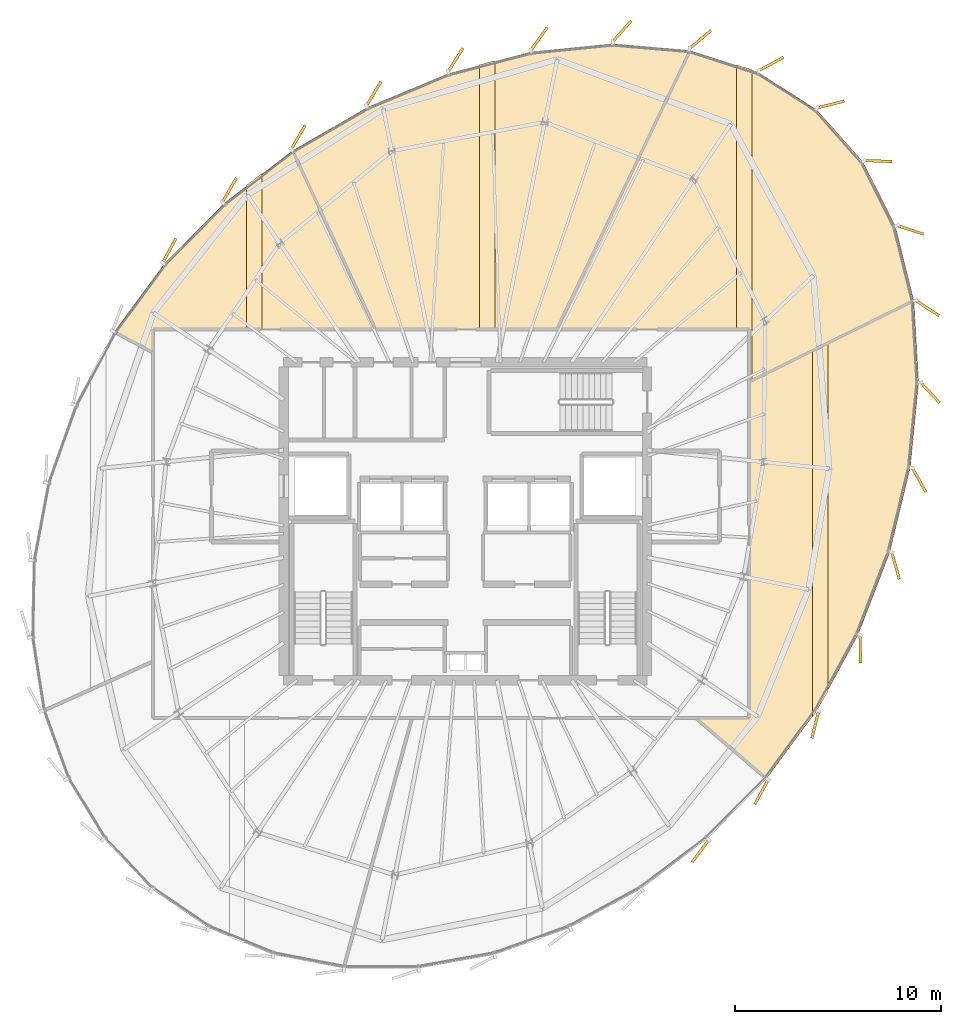
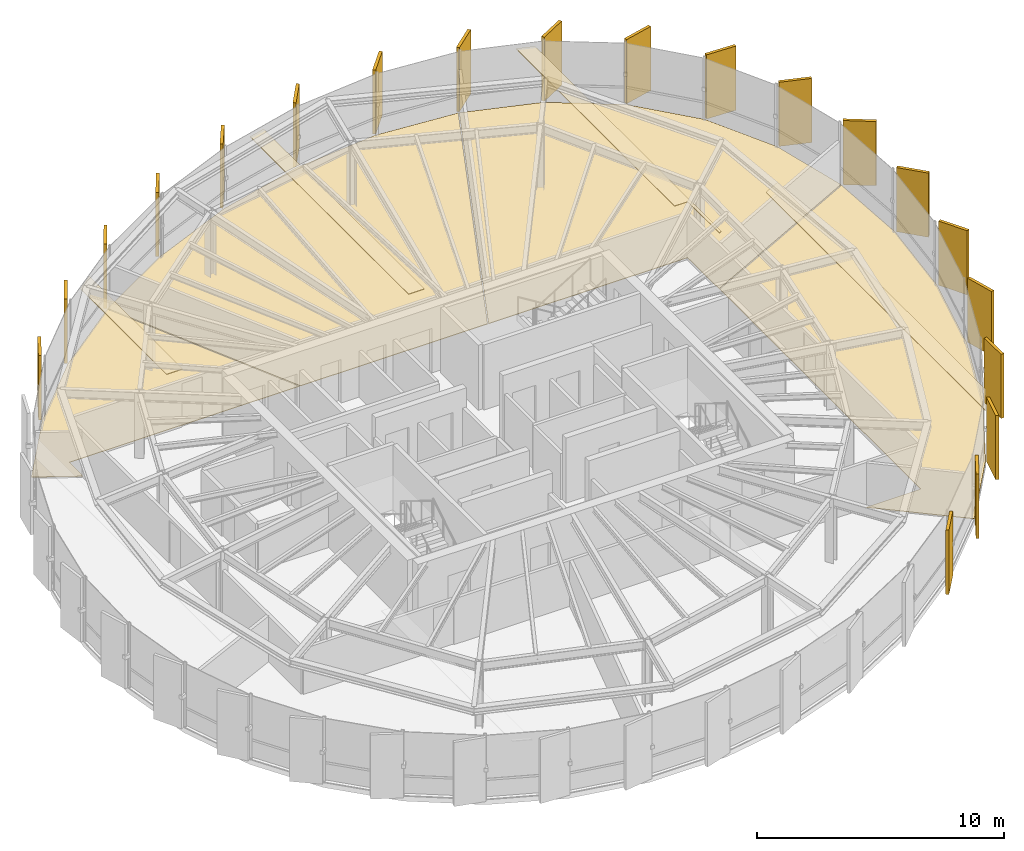
# One storey, part 33 of 33: 28 coverings.
"""IFC4 building model written with IfcOpenShell, lengths in metres."""

from ifc_helpers import new_model, si_unit, direction, frame, origin, origin_2d, place, context, subcontext, project, spatial, polyline, rectangle, outline, extrude, source, transform, mapped, material, layer, layer_set, type_object, element, save


model = new_model("IFC4")

# Units and contexts
model_context = context("Model", 3, precision=1e-05, world=origin(), true_north=direction((0.0, 1.0)))
body_context = subcontext(model_context, "Body", "Model", "MODEL_VIEW")
ifc_project = project(units=[si_unit("LENGTHUNIT", "METRE"), si_unit("AREAUNIT", "SQUARE_METRE"), si_unit("VOLUMEUNIT", "CUBIC_METRE"), si_unit("PLANEANGLEUNIT", "RADIAN"), si_unit("MASSUNIT", "GRAM", prefix="KILO"), si_unit("THERMODYNAMICTEMPERATUREUNIT", "KELVIN")], contexts=[model_context])

# Site, building, storey
site_placement = place(None, origin())
site = spatial("IfcSite", under=ifc_project, at=site_placement, CompositionType="ELEMENT")
building_placement = place(site_placement, origin())
building = spatial("IfcBuilding", under=site, at=building_placement, Name="Kethvar Cultural Tower", CompositionType="ELEMENT")
storey_placement = place(building_placement, frame((0.0, 0.0, 235.300048828125)))
storey = spatial("IfcBuildingStorey", under=building, at=storey_placement, Name="L61", CompositionType="ELEMENT", Elevation=235.300048828125)

# Coverings
ifc_material_1 = material(Name="Acoustic Mineral Fibre Ceiling")
ifc_layer_1 = layer(ifc_material_1, 0.0400390625, Name="Acoustic Mineral Fibre Ceiling")
ifc_layer_set_1 = layer_set([ifc_layer_1], Name="Acoustic Mineral Fibre Ceiling (40 mm)")
covering_type_1 = type_object("IfcCoveringType", Name="CV-ACOUSTIC-CEIL", PredefinedType="CEILING", material=ifc_layer_set_1)
covering_1_placement = place(storey_placement, frame((0.0, 0.0, 2.780029296875)))
element("IfcCovering", 1, at=covering_1_placement, inside=storey, type_object=covering_type_1, Name="L61 Room 03 Acoustic Ceiling Panel", PredefinedType="CEILING", context=body_context, shape_type="SweptSolid", body=[
    extrude(outline(polyline([(64.367431640625, 19.573486328125), (63.617431640625, 18.310302734375), (63.617431640625, 36.07958984375), (64.367431640625, 36.44775390625), (64.367431640625, 19.573486328125)])), origin(), (0.0, 0.0, 1.0), 0.0400390625),
])
covering_2_placement = place(storey_placement, frame((0.0, 0.0, 2.780029296875)))
element("IfcCovering", 2, at=covering_2_placement, inside=storey, type_object=covering_type_1, Name="L61 Room 04 Acoustic Ceiling Panel", PredefinedType="CEILING", context=body_context, shape_type="SweptSolid", body=[
    extrude(outline(polyline([(60.558837890625, 34.533203125), (60.530029296875, 37.080078125), (59.927001953125, 37.080078125), (59.927001953125, 49.909912109375), (60.677001953125, 49.669677734375), (60.677001953125, 34.591064453125), (60.558837890625, 34.533203125)])), origin(), (0.0, 0.0, 1.0), 0.0400390625),
])
covering_3_placement = place(storey_placement, frame((0.0, 0.0, 2.780029296875)))
element("IfcCovering", 3, at=covering_3_placement, inside=storey, type_object=covering_type_1, Name="L61 Room 05 Acoustic Ceiling Panel", PredefinedType="CEILING", context=body_context, shape_type="SweptSolid", body=[
    extrude(outline(polyline([(48.24609375, 50.10791015625), (48.24609375, 37.080078125), (47.49609375, 37.080078125), (47.49609375, 49.911865234375), (48.24609375, 50.10791015625)])), origin(), (0.0, 0.0, 1.0), 0.0400390625),
])
covering_4_placement = place(storey_placement, frame((0.0, 0.0, 2.780029296875)))
element("IfcCovering", 4, at=covering_4_placement, inside=storey, type_object=covering_type_1, Name="L61 Room 06 Acoustic Ceiling Panel", PredefinedType="CEILING", context=body_context, shape_type="SweptSolid", body=[
    extrude(outline(polyline([(36.939453125, 44.6435546875), (36.939453125, 37.080078125), (36.189453125, 37.080078125), (36.189453125, 44.066650390625), (36.939453125, 44.6435546875)])), origin(), (0.0, 0.0, 1.0), 0.0400390625),
])
ifc_material_2 = material(Name="Architectural Oak Timber", Category="wood")
ifc_layer_2 = layer(ifc_material_2, 0.02490234375, Name="Architectural Oak Timber", Category="wood")
ifc_layer_set_2 = layer_set([ifc_layer_2], Name="Architectural Oak Timber (25 mm)")
covering_type_2 = type_object("IfcCoveringType", Name="CV-OAK-FLOOR", PredefinedType="FLOORING", material=ifc_layer_set_2)
covering_5_placement = place(storey_placement, origin())
element("IfcCovering", 5, at=covering_5_placement, inside=storey, type_object=covering_type_2, Name="L61 Room 03 Floor Finish", PredefinedType="FLOORING", context=body_context, shape_type="SweptSolid", body=[
    extrude(outline(polyline([(68.51806640625, 38.441162109375), (68.744873046875, 34.52001953125), (68.338134765625, 30.40380859375), (67.345947265625, 26.288818359375), (65.82275390625, 22.329345703125), (63.820556640625, 18.652587890625), (61.392578125, 15.36328125), (58.013671875, 18.2490234375), (60.569580078125, 18.26513671875), (60.570068359375, 34.53857421875), (68.51806640625, 38.441162109375)])), origin(), (0.0, 0.0, 1.0), 0.02490234375),
])
covering_6_placement = place(storey_placement, origin())
element("IfcCovering", 6, at=covering_6_placement, inside=storey, type_object=covering_type_2, Name="L61 Room 04 Floor Finish", PredefinedType="FLOORING", context=body_context, shape_type="SweptSolid", body=[
    extrude(outline(polyline([(67.619140625, 42.082763671875), (68.512939453125, 38.483154296875), (60.570068359375, 34.583251953125), (60.555908203125, 37.119140625), (51.255615234375, 37.1201171875), (57.66455078125, 50.592529296875), (60.982666015625, 49.52978515625), (63.81201171875, 47.71826171875), (66.04345703125, 45.207275390625), (67.619140625, 42.082763671875)])), origin(), (0.0, 0.0, 1.0), 0.02490234375),
])
covering_7_placement = place(storey_placement, origin())
element("IfcCovering", 7, at=covering_7_placement, inside=storey, type_object=covering_type_2, Name="L61 Room 05 Floor Finish", PredefinedType="FLOORING", context=body_context, shape_type="SweptSolid", body=[
    extrude(outline(polyline([(42.09326171875, 47.8564453125), (46.00244140625, 49.48046875), (50.00439453125, 50.52587890625), (53.940673828125, 50.918212890625), (57.62353515625, 50.599609375), (51.21142578125, 37.1201171875), (42.465576171875, 37.1201171875), (38.435791015625, 45.7412109375), (42.09326171875, 47.8564453125)])), origin(), (0.0, 0.0, 1.0), 0.02490234375),
])
covering_8_placement = place(storey_placement, origin())
element("IfcCovering", 8, at=covering_8_placement, inside=storey, type_object=covering_type_2, Name="L61 Room 06 Floor Finish", PredefinedType="FLOORING", context=body_context, shape_type="SweptSolid", body=[
    extrude(outline(polyline([(32.219482421875, 40.2529296875), (35.102783203125, 43.18017578125), (38.402099609375, 45.71826171875), (42.42138671875, 37.1201171875), (31.677978515625, 37.119873046875), (31.659912109375, 35.99560546875), (29.815185546875, 36.991455078125), (32.219482421875, 40.2529296875)])), origin(), (0.0, 0.0, 1.0), 0.02490234375),
])
ifc_material_3 = material(Name="Extruded Architectural Terracotta", Category="masonry")
ifc_layer_3 = layer(ifc_material_3, 0.135009765625, Name="Extruded Architectural Terracotta", Category="masonry")
ifc_layer_set_3 = layer_set([ifc_layer_3], Name="Extruded Architectural Terracotta (135 mm)")
covering_type_3 = type_object("IfcCoveringType", Name="Terracotta Facade Fin FIN-03", PredefinedType="CLADDING", material=ifc_layer_set_3)
shared_shape = source(origin(), body_context, "Body", "SweptSolid", [
    extrude(rectangle(XDim=1.35009765625, YDim=0.135009765625, at=origin_2d()), origin(), (0.0, 0.0, 1.0), 3.169921875),
])
for number, where, z_axis, x_axis, name in (
    (9, (64.493408203125, 47.982666015625, 0.02001953125), (0.0, 0.0, 1.0), (0.970674539091, 0.240397460805, 0.0), "L61 Vertical Terracotta Fin 1.1"),
    (10, (61.609375, 49.945556640625, 0.02001953125), (0.0, 0.0, 1.0), (0.87948249511, 0.475931235364, 0.0), "L61 Vertical Terracotta Fin 1.2"),
    (11, (58.17724609375, 51.13134765625, 0.02001953125), (0.0, 0.0, 1.0), (0.765033810049, 0.643990115982, 0.0), "L61 Vertical Terracotta Fin 1.3"),
    (12, (54.378662109375, 51.524658203125, 0.02001953125), (0.0, 0.0, 1.0), (0.660657018202, 0.750687887408, 0.0), "L61 Vertical Terracotta Fin 1.4"),
    (13, (50.373779296875, 51.171630859375, 0.02001953125), (0.0, 0.0, 1.0), (0.582548628905, 0.812795850728, 0.0), "L61 Vertical Terracotta Fin 1.5"),
    (14, (46.326171875, 50.143798828125, 0.02001953125), (0.0, 0.0, 1.0), (0.534499867271, 0.84516855827, 0.0), "L61 Vertical Terracotta Fin 1.6"),
    (15, (42.35986328125, 48.505126953125, 0.02001953125), (0.0, 0.0, 1.0), (0.513391483659, 0.858154522511, 0.0), "L61 Vertical Terracotta Fin 2.1"),
    (16, (38.702880859375, 46.394775390625, 0.02001953125), (0.0, 0.0, 1.0), (0.506334807353, 0.862336977557, 0.0), "L61 Vertical Terracotta Fin 2.2"),
    (17, (35.37060546875, 43.83544921875, 0.02001953125), (0.0, 0.0, 1.0), (0.50105767621, 0.865413892373, 0.0), "L61 Vertical Terracotta Fin 2.3"),
    (18, (32.460693359375, 40.9072265625, 0.02001953125), (0.0, 0.0, 1.0), (0.475470674188, 0.879731571553, 0.0), "L61 Vertical Terracotta Fin 2.4"),
    (19, (58.18798828125, 11.83349609375, 0.02001953125), (0.0, 0.0, 1.0), (-0.596224874966, -0.802817475191, 0.0), "L61 Vertical Terracotta Fin 5.3"),
    (20, (61.138916015625, 14.69287109375, 0.02001953125), (0.0, 0.0, 1.0), (-0.476084726767, -0.879399416044, 0.0), "L61 Vertical Terracotta Fin 5.4"),
    (21, (63.743408203125, 17.948974609375, 0.02001953125), (0.0, 0.0, 1.0), (-0.243445733477, -0.969914519353, 0.0), "L61 Vertical Terracotta Fin 5.5"),
    (22, (65.9267578125, 21.617431640625, 0.02001953125), (0.0, 0.0, 1.0), (0.016579868188, -0.999862544538, 0.0), "L61 Vertical Terracotta Fin 5.6"),
    (23, (67.6328125, 25.648681640625, 0.02001953125), (0.0, 0.0, 1.0), (0.268919820615, -0.963162566798, 0.0), "L61 Vertical Terracotta Fin 6.1"),
    (24, (68.769775390625, 29.8046875, 0.02001953125), (0.0, 0.0, 1.0), (0.491967775447, -0.870613408995, 0.0), "L61 Vertical Terracotta Fin 6.2"),
    (25, (69.305419921875, 34.03076171875, 0.02001953125), (0.0, 0.0, 1.0), (0.682253609109, -0.73111559473, 0.0), "L61 Vertical Terracotta Fin 6.3"),
    (26, (69.17919921875, 38.122802734375, 0.02001953125), (0.0, 0.0, 1.0), (0.837623391089, -0.546248162194, 0.0), "L61 Vertical Terracotta Fin 6.4"),
    (27, (68.3505859375, 41.914794921875, 0.02001953125), (0.0, 0.0, 1.0), (0.949917524329, -0.312500715155, 0.0), "L61 Vertical Terracotta Fin 6.5"),
    (28, (66.79443359375, 45.245849609375, 0.02001953125), (0.0, 0.0, 1.0), (0.999262916411, -0.038387809088, 0.0), "L61 Vertical Terracotta Fin 6.6"),
):
    element("IfcCovering", number, at=place(storey_placement, frame(where, z_axis=z_axis, x_axis=x_axis)), inside=storey, type_object=covering_type_3, Name=name, PredefinedType="CLADDING", context=body_context, shape_type="MappedRepresentation", body=[
        mapped(shared_shape, transform((0.0, 0.0, 0.0), scale=1.0)),
    ])

save(model, "model.ifc")
